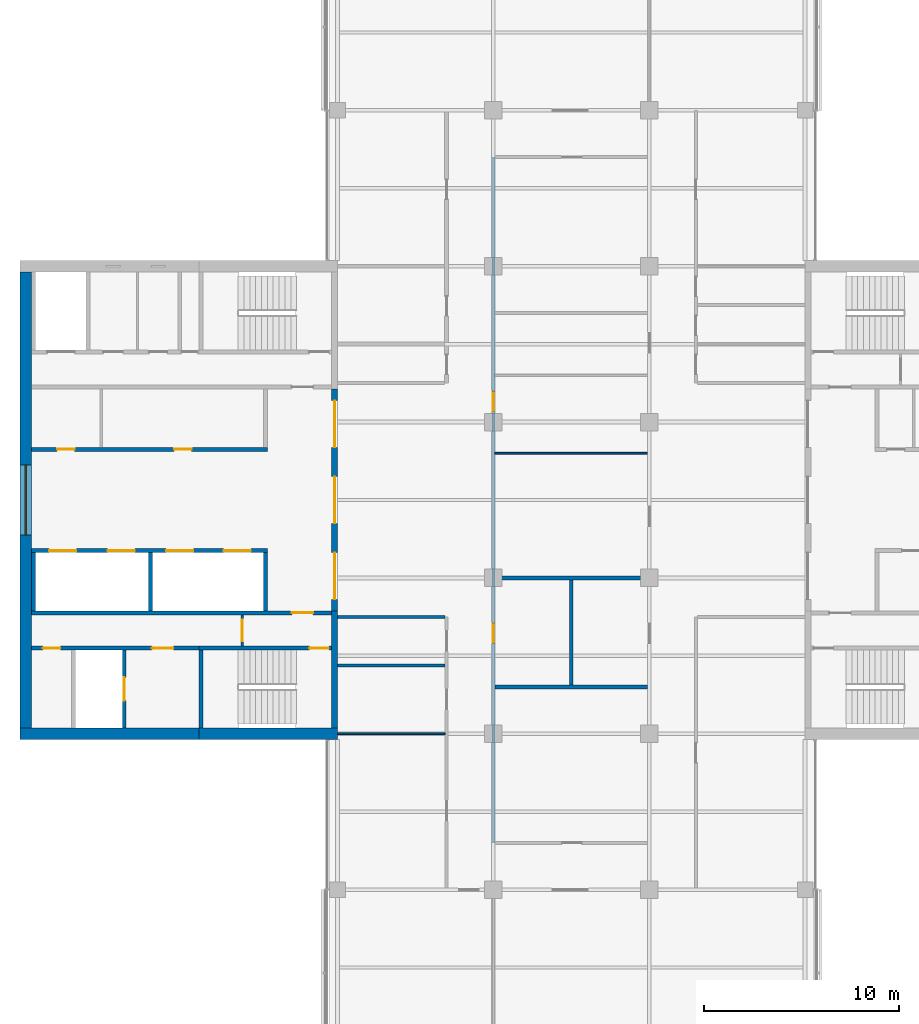
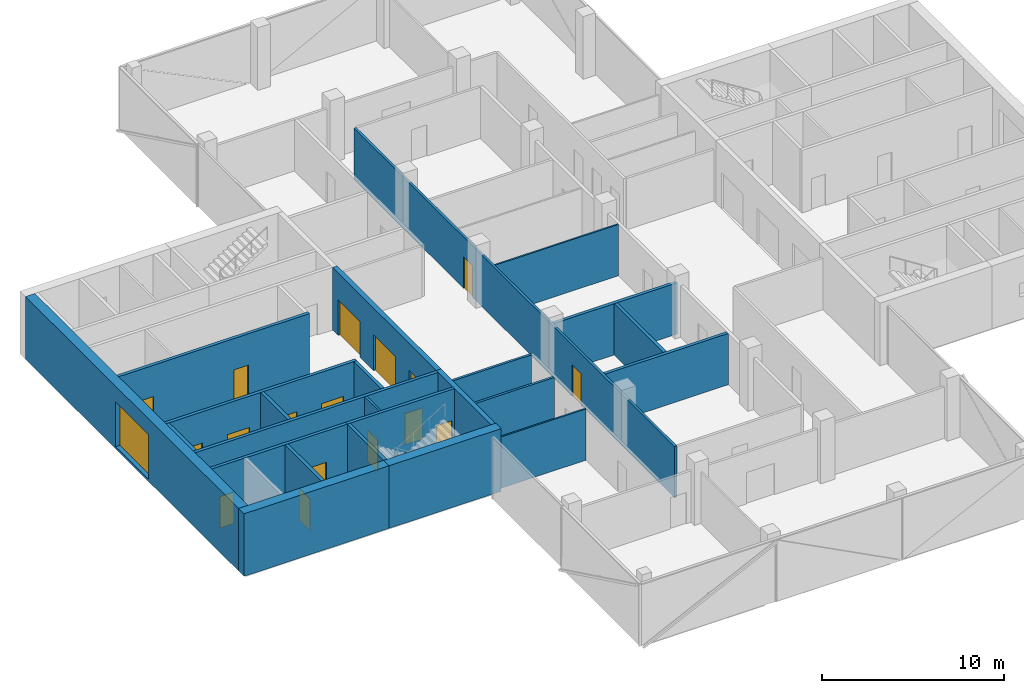
# One storey, part 9 of 15: 24 walls, 17 doors, 1 window, 18 openings.
"""IFC4 building model written with IfcOpenShell, lengths in metres."""

from ifc_helpers import new_model, si_unit, direction, frame, frame_2d, origin, place, context, subcontext, project, spatial, rectangle, extrude, material, layer, layer_set, constituent, constituent_set, type_object, element, fill, save


model = new_model("IFC4")

# Units and contexts
model_context = context("Model", 3, precision=1e-05, world=origin(), true_north=direction((0.0, 1.0)))
body_context = subcontext(model_context, "Body", "Model", "MODEL_VIEW")
ifc_project = project(units=[si_unit("LENGTHUNIT", "METRE"), si_unit("AREAUNIT", "SQUARE_METRE"), si_unit("VOLUMEUNIT", "CUBIC_METRE"), si_unit("PLANEANGLEUNIT", "RADIAN"), si_unit("MASSUNIT", "GRAM", prefix="KILO")], contexts=[model_context])

# Site, building, storey
site_placement = place(None, origin())
site = spatial("IfcSite", under=ifc_project, at=site_placement, CompositionType="ELEMENT")
building_placement = place(site_placement, origin())
building = spatial("IfcBuilding", under=site, at=building_placement, Name="Crosswind Convention Tower", CompositionType="ELEMENT")
storey_placement = place(building_placement, frame((0.0, 0.0, 225.10009765625)))
storey = spatial("IfcBuildingStorey", under=building, at=storey_placement, Name="L48", CompositionType="ELEMENT", Elevation=225.10009765625)

# Walls
ifc_material_1 = material(Name="Concrete blockwork", Category="masonry")
ifc_layer_1 = layer(ifc_material_1, 0.199951171875)
ifc_layer_set_1 = layer_set([ifc_layer_1], Name="COMPARTMENT WALL 200 BLOCKWORK")
wall_type_1 = type_object("IfcWallType", Name="COMPARTMENT WALL 200 BLOCKWORK", PredefinedType="SOLIDWALL", material=ifc_layer_set_1)
wall_1_placement = place(storey_placement, frame((125.0, 90.5, 0.0), z_axis=(0.0, 0.0, 1.0), x_axis=(0.0, 1.0, 0.0)))
element("IfcWall", 1, at=wall_1_placement, inside=storey, type_object=wall_type_1, Name="Compartment wall WT42", PredefinedType="SOLIDWALL", context=body_context, shape_type="SweptSolid", body=[
    extrude(rectangle(XDim=5.39990234375, YDim=0.199951171875, at=frame_2d((2.699951171875, 0.0))), origin(), (0.0, 0.0, 1.0), 3.439697265625),
])
for number, where, z_axis, x_axis, name in (
    (2, (121.074951171875, 90.39990234375, 0.0), (0.0, 0.0, 1.0), (1.0, 0.0, 0.0), "Compartment wall WT42"),
    (3, (121.074951171875, 96.0, 0.0), (0.0, 0.0, 1.0), (1.0, 0.0, 0.0), "Compartment wall WT42"),
):
    element("IfcWall", number, at=place(storey_placement, frame(where, z_axis=z_axis, x_axis=x_axis)), inside=storey, type_object=wall_type_1, Name=name, PredefinedType="SOLIDWALL", context=body_context, shape_type="SweptSolid", body=[
        extrude(rectangle(XDim=7.824951171875, YDim=0.199951171875, at=frame_2d((3.91259765625, 0.0))), origin(), (0.0, 0.0, 1.0), 3.439697265625),
    ])

# Wall, openings, doors
ifc_material_2 = material(Name="Concrete C50/60", Category="concrete")
ifc_layer_2 = layer(ifc_material_2, 0.300048828125)
ifc_layer_set_2 = layer_set([ifc_layer_2], Name="Concrete C50/60")
wall_type_2 = type_object("IfcWallType", Name="Concrete inner core wall 300", PredefinedType="SHEAR", material=ifc_layer_set_2)
wall_2_placement = place(storey_placement, frame((112.85009765625, 105.699951171875, 0.0), z_axis=(0.0, 0.0, 1.0), x_axis=(0.0, -1.0, 0.0)))
wall_2 = element("IfcWall", 4, at=wall_2_placement, inside=storey, type_object=wall_type_2, Name="Wall SCR W L48", PredefinedType="SHEAR", context=body_context, shape_type="SweptSolid", body=[
    extrude(rectangle(XDim=11.39990234375, YDim=0.300048828125, at=frame_2d((5.699951171875, 0.0))), origin(), (0.0, 0.0, 1.0), 4.199951171875),
])
opening_1_placement = place(wall_2_placement, frame((0.60009765625, 0.0, 0.0)))
opening_1 = element("IfcOpeningElement", 5, at=opening_1_placement, cuts=wall_2, Name="Opening D100", PredefinedType="OPENING", context=body_context, shape_type="SweptSolid", body=[
    extrude(rectangle(XDim=2.39990234375, YDim=2.39990234375, at=frame_2d((1.199951171875, 1.199951171875))), frame((0.0, 0.159912109375, 0.0), z_axis=(0.0, -1.0, 0.0), x_axis=(1.0, 0.0, 0.0)), (0.0, 0.0, 1.0), 0.320068359375),
])
opening_2_placement = place(wall_2_placement, frame((4.5, 0.0, 0.0)))
opening_2 = element("IfcOpeningElement", 6, at=opening_2_placement, cuts=wall_2, Name="Opening D100", PredefinedType="OPENING", context=body_context, shape_type="SweptSolid", body=[
    extrude(rectangle(XDim=2.39990234375, YDim=2.39990234375, at=frame_2d((1.199951171875, 1.199951171875))), frame((0.0, 0.159912109375, 0.0), z_axis=(0.0, -1.0, 0.0), x_axis=(1.0, 0.0, 0.0)), (0.0, 0.0, 1.0), 0.320068359375),
])
opening_3_placement = place(wall_2_placement, frame((8.39990234375, 0.0, 0.0)))
opening_3 = element("IfcOpeningElement", 7, at=opening_3_placement, cuts=wall_2, Name="Opening D100", PredefinedType="OPENING", context=body_context, shape_type="SweptSolid", body=[
    extrude(rectangle(XDim=2.39990234375, YDim=2.39990234375, at=frame_2d((1.199951171875, 1.199951171875))), frame((0.0, 0.159912109375, 0.0), z_axis=(0.0, -1.0, 0.0), x_axis=(1.0, 0.0, 0.0)), (0.0, 0.0, 1.0), 0.320068359375),
])
ifc_material_3 = material(Name="Steel fire door with glazed vision panels", Category="steel")
door_type_1 = type_object("IfcDoorType", Name="Fire-rated double door 2400x2400", OperationType="DOUBLE_DOOR_SINGLE_SWING", PredefinedType="DOOR", material=ifc_material_3)
door_1_placement = place(opening_1_placement, origin())
door_1 = element("IfcDoor", 8, at=door_1_placement, inside=storey, type_object=door_type_1, Name="Lobby door 1 L48", ObjectType="D100", OperationType="DOUBLE_DOOR_SINGLE_SWING", OverallHeight=2.39990234375, OverallWidth=2.39990234375, PredefinedType="DOOR", context=body_context, shape_type="SweptSolid", body=[
    extrude(rectangle(XDim=2.39990234375, YDim=2.39990234375, at=frame_2d((1.199951171875, 1.199951171875))), frame((0.0, 0.02490234375, 0.0), z_axis=(0.0, -1.0, 0.0), x_axis=(1.0, 0.0, 0.0)), (0.0, 0.0, 1.0), 0.050048828125),
])
fill(opening_1, door_1)
door_2_placement = place(opening_2_placement, origin())
door_2 = element("IfcDoor", 9, at=door_2_placement, inside=storey, type_object=door_type_1, Name="Lobby door 2 L48", ObjectType="D100", OperationType="DOUBLE_DOOR_SINGLE_SWING", OverallHeight=2.39990234375, OverallWidth=2.39990234375, PredefinedType="DOOR", context=body_context, shape_type="SweptSolid", body=[
    extrude(rectangle(XDim=2.39990234375, YDim=2.39990234375, at=frame_2d((1.199951171875, 1.199951171875))), frame((0.0, 0.02490234375, 0.0), z_axis=(0.0, -1.0, 0.0), x_axis=(1.0, 0.0, 0.0)), (0.0, 0.0, 1.0), 0.050048828125),
])
fill(opening_2, door_2)
door_3_placement = place(opening_3_placement, origin())
door_3 = element("IfcDoor", 10, at=door_3_placement, inside=storey, type_object=door_type_1, Name="Lobby door 3 L48", ObjectType="D100", OperationType="DOUBLE_DOOR_SINGLE_SWING", OverallHeight=2.39990234375, OverallWidth=2.39990234375, PredefinedType="DOOR", context=body_context, shape_type="SweptSolid", body=[
    extrude(rectangle(XDim=2.39990234375, YDim=2.39990234375, at=frame_2d((1.199951171875, 1.199951171875))), frame((0.0, 0.02490234375, 0.0), z_axis=(0.0, -1.0, 0.0), x_axis=(1.0, 0.0, 0.0)), (0.0, 0.0, 1.0), 0.050048828125),
])
fill(opening_3, door_3)

# Walls
wall_3_placement = place(storey_placement, frame((112.85009765625, 94.300048828125, 0.0), z_axis=(0.0, 0.0, 1.0), x_axis=(0.0, -1.0, 0.0)))
element("IfcWall", 11, at=wall_3_placement, inside=storey, type_object=wall_type_2, Name="Wall EP W L48", PredefinedType="SHEAR", context=body_context, shape_type="SweptSolid", body=[
    extrude(rectangle(XDim=6.0, YDim=0.300048828125, at=frame_2d((3.0, 0.0))), origin(), (0.0, 0.0, 1.0), 4.199951171875),
])
ifc_layer_3 = layer(ifc_material_2, 0.199951171875)
ifc_layer_set_3 = layer_set([ifc_layer_3], Name="Concrete C50/60")
wall_type_3 = type_object("IfcWallType", Name="Concrete shaft and stair wall 200", PredefinedType="SHEAR", material=ifc_layer_set_3)
for number, where, z_axis, x_axis, name in (
    (12, (109.300048828125, 97.300048828125, 0.0), (0.0, 0.0, 1.0), (0.0, -1.0, 0.0), "Wall RPEND W L48"),
    (13, (103.39990234375, 97.300048828125, 0.0), (0.0, 0.0, 1.0), (0.0, -1.0, 0.0), "Wall RPSEP W L48"),
    (14, (97.39990234375, 97.300048828125, 0.0), (0.0, 0.0, 1.0), (0.0, -1.0, 0.0), "Wall RPEAST W L48"),
):
    element("IfcWall", number, at=place(storey_placement, frame(where, z_axis=z_axis, x_axis=x_axis)), inside=storey, type_object=wall_type_3, Name=name, PredefinedType="SHEAR", context=body_context, shape_type="SweptSolid", body=[
        extrude(rectangle(XDim=3.0, YDim=0.199951171875, at=frame_2d((1.5, 0.0))), origin(), (0.0, 0.0, 1.0), 4.199951171875),
    ])

# Wall, openings, doors
wall_4_placement = place(storey_placement, frame((109.39990234375, 97.39990234375, 0.0), z_axis=(0.0, 0.0, 1.0), x_axis=(-1.0, 0.0, 0.0)))
wall_4 = element("IfcWall", 15, at=wall_4_placement, inside=storey, type_object=wall_type_3, Name="Wall RPFRONT W L48", PredefinedType="SHEAR", context=body_context, shape_type="SweptSolid", body=[
    extrude(rectangle(XDim=12.099853515625, YDim=0.199951171875, at=frame_2d((6.0498046875, 0.0))), origin(), (0.0, 0.0, 1.0), 4.199951171875),
])
opening_4_placement = place(wall_4_placement, frame((0.85009765625, 0.0, 0.0)))
opening_4 = element("IfcOpeningElement", 16, at=opening_4_placement, cuts=wall_4, Name="Opening LD2", PredefinedType="OPENING", context=body_context, shape_type="SweptSolid", body=[
    extrude(rectangle(XDim=1.39990234375, YDim=2.10009765625, at=frame_2d((0.699951171875, 1.050048828125))), frame((0.0, 0.10986328125, 0.0), z_axis=(0.0, -1.0, 0.0), x_axis=(1.0, 0.0, 0.0)), (0.0, 0.0, 1.0), 0.219970703125),
])
opening_5_placement = place(wall_4_placement, frame((3.800048828125, 0.0, 0.0)))
opening_5 = element("IfcOpeningElement", 17, at=opening_5_placement, cuts=wall_4, Name="Opening LD2", PredefinedType="OPENING", context=body_context, shape_type="SweptSolid", body=[
    extrude(rectangle(XDim=1.39990234375, YDim=2.10009765625, at=frame_2d((0.699951171875, 1.050048828125))), frame((0.0, 0.10986328125, 0.0), z_axis=(0.0, -1.0, 0.0), x_axis=(1.0, 0.0, 0.0)), (0.0, 0.0, 1.0), 0.219970703125),
])
opening_6_placement = place(wall_4_placement, frame((6.800048828125, 0.0, 0.0)))
opening_6 = element("IfcOpeningElement", 18, at=opening_6_placement, cuts=wall_4, Name="Opening LD2", PredefinedType="OPENING", context=body_context, shape_type="SweptSolid", body=[
    extrude(rectangle(XDim=1.39990234375, YDim=2.10009765625, at=frame_2d((0.699951171875, 1.050048828125))), frame((0.0, 0.10986328125, 0.0), z_axis=(0.0, -1.0, 0.0), x_axis=(1.0, 0.0, 0.0)), (0.0, 0.0, 1.0), 0.219970703125),
])
opening_7_placement = place(wall_4_placement, frame((9.800048828125, 0.0, 0.0)))
opening_7 = element("IfcOpeningElement", 19, at=opening_7_placement, cuts=wall_4, Name="Opening LD2", PredefinedType="OPENING", context=body_context, shape_type="SweptSolid", body=[
    extrude(rectangle(XDim=1.39990234375, YDim=2.10009765625, at=frame_2d((0.699951171875, 1.050048828125))), frame((0.0, 0.10986328125, 0.0), z_axis=(0.0, -1.0, 0.0), x_axis=(1.0, 0.0, 0.0)), (0.0, 0.0, 1.0), 0.219970703125),
])
ifc_material_4 = material(Name="Stainless steel", Category="steel")
door_type_2 = type_object("IfcDoorType", Name="Lift landing door 1400x2100", OperationType="DOUBLE_DOOR_SLIDING", PredefinedType="DOOR", material=ifc_material_4)
door_4_placement = place(opening_4_placement, origin())
door_4 = element("IfcDoor", 20, at=door_4_placement, inside=storey, type_object=door_type_2, Name="Landing door HR1 L48", ObjectType="LD2", OperationType="DOUBLE_DOOR_SLIDING", OverallHeight=2.10009765625, OverallWidth=1.39990234375, PredefinedType="DOOR", context=body_context, shape_type="SweptSolid", body=[
    extrude(rectangle(XDim=1.39990234375, YDim=2.10009765625, at=frame_2d((0.699951171875, 1.050048828125))), frame((0.0, 0.02490234375, 0.0), z_axis=(0.0, -1.0, 0.0), x_axis=(1.0, 0.0, 0.0)), (0.0, 0.0, 1.0), 0.050048828125),
])
fill(opening_4, door_4)
door_5_placement = place(opening_5_placement, origin())
door_5 = element("IfcDoor", 21, at=door_5_placement, inside=storey, type_object=door_type_2, Name="Landing door HR2 L48", ObjectType="LD2", OperationType="DOUBLE_DOOR_SLIDING", OverallHeight=2.10009765625, OverallWidth=1.39990234375, PredefinedType="DOOR", context=body_context, shape_type="SweptSolid", body=[
    extrude(rectangle(XDim=1.39990234375, YDim=2.10009765625, at=frame_2d((0.699951171875, 1.050048828125))), frame((0.0, 0.02490234375, 0.0), z_axis=(0.0, -1.0, 0.0), x_axis=(1.0, 0.0, 0.0)), (0.0, 0.0, 1.0), 0.050048828125),
])
fill(opening_5, door_5)
door_6_placement = place(opening_6_placement, origin())
door_6 = element("IfcDoor", 22, at=door_6_placement, inside=storey, type_object=door_type_2, Name="Landing door HR3 L48", ObjectType="LD2", OperationType="DOUBLE_DOOR_SLIDING", OverallHeight=2.10009765625, OverallWidth=1.39990234375, PredefinedType="DOOR", context=body_context, shape_type="SweptSolid", body=[
    extrude(rectangle(XDim=1.39990234375, YDim=2.10009765625, at=frame_2d((0.699951171875, 1.050048828125))), frame((0.0, 0.02490234375, 0.0), z_axis=(0.0, -1.0, 0.0), x_axis=(1.0, 0.0, 0.0)), (0.0, 0.0, 1.0), 0.050048828125),
])
fill(opening_6, door_6)
door_7_placement = place(opening_7_placement, origin())
door_7 = element("IfcDoor", 23, at=door_7_placement, inside=storey, type_object=door_type_2, Name="Landing door HR4 L48", ObjectType="LD2", OperationType="DOUBLE_DOOR_SLIDING", OverallHeight=2.10009765625, OverallWidth=1.39990234375, PredefinedType="DOOR", context=body_context, shape_type="SweptSolid", body=[
    extrude(rectangle(XDim=1.39990234375, YDim=2.10009765625, at=frame_2d((0.699951171875, 1.050048828125))), frame((0.0, 0.02490234375, 0.0), z_axis=(0.0, -1.0, 0.0), x_axis=(1.0, 0.0, 0.0)), (0.0, 0.0, 1.0), 0.050048828125),
])
fill(opening_7, door_7)

wall_5_placement = place(storey_placement, frame((109.39990234375, 102.60009765625, 0.0), z_axis=(0.0, 0.0, 1.0), x_axis=(-1.0, 0.0, 0.0)))
wall_5 = element("IfcWall", 24, at=wall_5_placement, inside=storey, type_object=wall_type_3, Name="Wall RMFRONT W L48", PredefinedType="SHEAR", context=body_context, shape_type="SweptSolid", body=[
    extrude(rectangle(XDim=12.099853515625, YDim=0.199951171875, at=frame_2d((6.0498046875, 0.0))), origin(), (0.0, 0.0, 1.0), 4.199951171875),
])
opening_8_placement = place(wall_5_placement, frame((3.8837890625, 0.0, 0.0)))
opening_8 = element("IfcOpeningElement", 25, at=opening_8_placement, cuts=wall_5, Name="Opening D106", PredefinedType="OPENING", context=body_context, shape_type="SweptSolid", body=[
    extrude(rectangle(XDim=0.89990234375, YDim=2.10009765625, at=frame_2d((0.449951171875, 1.050048828125))), frame((0.0, 0.10986328125, 0.0), z_axis=(0.0, -1.0, 0.0), x_axis=(1.0, 0.0, 0.0)), (0.0, 0.0, 1.0), 0.219970703125),
])
opening_9_placement = place(wall_5_placement, frame((9.896240234375, 0.0, 0.0)))
opening_9 = element("IfcOpeningElement", 26, at=opening_9_placement, cuts=wall_5, Name="Opening D106", PredefinedType="OPENING", context=body_context, shape_type="SweptSolid", body=[
    extrude(rectangle(XDim=0.89990234375, YDim=2.10009765625, at=frame_2d((0.449951171875, 1.050048828125))), frame((0.0, 0.10986328125, 0.0), z_axis=(0.0, -1.0, 0.0), x_axis=(1.0, 0.0, 0.0)), (0.0, 0.0, 1.0), 0.219970703125),
])
ifc_material_5 = material(Name="Timber door", Category="wood")
door_type_3 = type_object("IfcDoorType", Name="Single leaf door 900x2100", OperationType="NOTDEFINED", PredefinedType="DOOR", material=ifc_material_5)
door_8_placement = place(opening_8_placement, frame((0.89990234375, 0.0, 0.0), z_axis=(0.0, 0.0, 1.0), x_axis=(-1.0, 0.0, 0.0)))
door_8 = element("IfcDoor", 27, at=door_8_placement, inside=storey, type_object=door_type_3, Name="Door to pantry L48", ObjectType="D106", OperationType="SINGLE_SWING_LEFT", OverallHeight=2.10009765625, OverallWidth=0.89990234375, PredefinedType="DOOR", context=body_context, shape_type="SweptSolid", body=[
    extrude(rectangle(XDim=0.89990234375, YDim=2.10009765625, at=frame_2d((0.449951171875, 1.050048828125))), frame((0.0, 0.02490234375, 0.0), z_axis=(0.0, -1.0, 0.0), x_axis=(1.0, 0.0, 0.0)), (0.0, 0.0, 1.0), 0.050048828125),
])
fill(opening_8, door_8)
door_9_placement = place(opening_9_placement, frame((0.89990234375, 0.0, 0.0), z_axis=(0.0, 0.0, 1.0), x_axis=(-1.0, 0.0, 0.0)))
door_9 = element("IfcDoor", 28, at=door_9_placement, inside=storey, type_object=door_type_3, Name="Door to telecoms room L48", ObjectType="D106", OperationType="SINGLE_SWING_LEFT", OverallHeight=2.10009765625, OverallWidth=0.89990234375, PredefinedType="DOOR", context=body_context, shape_type="SweptSolid", body=[
    extrude(rectangle(XDim=0.89990234375, YDim=2.10009765625, at=frame_2d((0.449951171875, 1.050048828125))), frame((0.0, 0.02490234375, 0.0), z_axis=(0.0, -1.0, 0.0), x_axis=(1.0, 0.0, 0.0)), (0.0, 0.0, 1.0), 0.050048828125),
])
fill(opening_9, door_9)

# Wall, opening, door
wall_6_placement = place(storey_placement, frame((112.699951171875, 94.199951171875, 0.0), z_axis=(0.0, 0.0, 1.0), x_axis=(-1.0, 0.0, 0.0)))
wall_6 = element("IfcWall", 29, at=wall_6_placement, inside=storey, type_object=wall_type_3, Name="Wall HP W L48", PredefinedType="SHEAR", context=body_context, shape_type="SweptSolid", body=[
    extrude(rectangle(XDim=15.39990234375, YDim=0.199951171875, at=frame_2d((7.699951171875, 0.0))), origin(), (0.0, 0.0, 1.0), 4.199951171875),
])
opening_10_placement = place(wall_6_placement, frame((0.949951171875, 0.0, 0.0)))
opening_10 = element("IfcOpeningElement", 30, at=opening_10_placement, cuts=wall_6, Name="Opening D104", PredefinedType="OPENING", context=body_context, shape_type="SweptSolid", body=[
    extrude(rectangle(XDim=1.10009765625, YDim=2.10009765625, at=frame_2d((0.550048828125, 1.050048828125))), frame((0.0, 0.10986328125, 0.0), z_axis=(0.0, -1.0, 0.0), x_axis=(1.0, 0.0, 0.0)), (0.0, 0.0, 1.0), 0.219970703125),
])
ifc_material_6 = material(Name="Steel fire door", Category="steel")
door_type_4 = type_object("IfcDoorType", Name="Fire-rated single door 1100x2100", OperationType="NOTDEFINED", PredefinedType="DOOR", material=ifc_material_6)
door_10_placement = place(opening_10_placement, origin())
door_10 = element("IfcDoor", 31, at=door_10_placement, inside=storey, type_object=door_type_4, Name="Corridor door L48", ObjectType="D104", OperationType="SINGLE_SWING_LEFT", OverallHeight=2.10009765625, OverallWidth=1.10009765625, PredefinedType="DOOR", context=body_context, shape_type="SweptSolid", body=[
    extrude(rectangle(XDim=1.10009765625, YDim=2.10009765625, at=frame_2d((0.550048828125, 1.050048828125))), frame((0.0, 0.02490234375, 0.0), z_axis=(0.0, -1.0, 0.0), x_axis=(1.0, 0.0, 0.0)), (0.0, 0.0, 1.0), 0.050048828125),
])
fill(opening_10, door_10)

# Wall
wall_7_placement = place(storey_placement, frame((106.0, 92.300048828125, 0.0), z_axis=(0.0, 0.0, 1.0), x_axis=(0.0, -1.0, 0.0)))
element("IfcWall", 32, at=wall_7_placement, inside=storey, type_object=wall_type_3, Name="Wall PSE W L48", PredefinedType="SHEAR", context=body_context, shape_type="SweptSolid", body=[
    extrude(rectangle(XDim=4.0, YDim=0.199951171875, at=frame_2d((2.0, 0.0))), origin(), (0.0, 0.0, 1.0), 4.199951171875),
])

# Wall, opening, door
wall_8_placement = place(storey_placement, frame((102.050048828125, 92.300048828125, 0.0), z_axis=(0.0, 0.0, 1.0), x_axis=(0.0, -1.0, 0.0)))
wall_8 = element("IfcWall", 33, at=wall_8_placement, inside=storey, type_object=wall_type_3, Name="Wall PFLW W L48", PredefinedType="SHEAR", context=body_context, shape_type="SweptSolid", body=[
    extrude(rectangle(XDim=4.0, YDim=0.199951171875, at=frame_2d((2.0, 0.0))), origin(), (0.0, 0.0, 1.0), 4.199951171875),
])
opening_11_placement = place(wall_8_placement, frame((1.39990234375, 0.0, 0.0)))
opening_11 = element("IfcOpeningElement", 34, at=opening_11_placement, cuts=wall_8, Name="Opening LD1", PredefinedType="OPENING", context=body_context, shape_type="SweptSolid", body=[
    extrude(rectangle(XDim=1.199951171875, YDim=2.10009765625, at=frame_2d((0.60009765625, 1.050048828125))), frame((0.0, 0.10986328125, 0.0), z_axis=(0.0, -1.0, 0.0), x_axis=(1.0, 0.0, 0.0)), (0.0, 0.0, 1.0), 0.219970703125),
])
door_type_5 = type_object("IfcDoorType", Name="Lift landing door 1200x2100", OperationType="DOUBLE_DOOR_SLIDING", PredefinedType="DOOR", material=ifc_material_4)
door_11_placement = place(opening_11_placement, origin())
door_11 = element("IfcDoor", 35, at=door_11_placement, inside=storey, type_object=door_type_5, Name="Landing door FF2 L48", ObjectType="LD1", OperationType="DOUBLE_DOOR_SLIDING", OverallHeight=2.10009765625, OverallWidth=1.199951171875, PredefinedType="DOOR", context=body_context, shape_type="SweptSolid", body=[
    extrude(rectangle(XDim=1.199951171875, YDim=2.10009765625, at=frame_2d((0.60009765625, 1.050048828125))), frame((0.0, 0.02490234375, 0.0), z_axis=(0.0, -1.0, 0.0), x_axis=(1.0, 0.0, 0.0)), (0.0, 0.0, 1.0), 0.050048828125),
])
fill(opening_11, door_11)

wall_9_placement = place(storey_placement, frame((112.699951171875, 92.39990234375, 0.0), z_axis=(0.0, 0.0, 1.0), x_axis=(-1.0, 0.0, 0.0)))
wall_9 = element("IfcWall", 36, at=wall_9_placement, inside=storey, type_object=wall_type_3, Name="Wall PCW W L48", PredefinedType="SHEAR", context=body_context, shape_type="SweptSolid", body=[
    extrude(rectangle(XDim=6.800048828125, YDim=0.199951171875, at=frame_2d((3.39990234375, 0.0))), origin(), (0.0, 0.0, 1.0), 4.199951171875),
])
opening_12_placement = place(wall_9_placement, frame((0.14990234375, 0.0, 0.0)))
opening_12 = element("IfcOpeningElement", 37, at=opening_12_placement, cuts=wall_9, Name="Opening D103", PredefinedType="OPENING", context=body_context, shape_type="SweptSolid", body=[
    extrude(rectangle(XDim=1.0, YDim=2.10009765625, at=frame_2d((0.5, 1.050048828125))), frame((0.0, 0.10986328125, 0.0), z_axis=(0.0, -1.0, 0.0), x_axis=(1.0, 0.0, 0.0)), (0.0, 0.0, 1.0), 0.219970703125),
])
door_type_6 = type_object("IfcDoorType", Name="Fire-rated single door 1000x2100", OperationType="NOTDEFINED", PredefinedType="DOOR", material=ifc_material_6)
door_12_placement = place(opening_12_placement, origin())
door_12 = element("IfcDoor", 38, at=door_12_placement, inside=storey, type_object=door_type_6, Name="Stair ST3 door L48", ObjectType="D103", OperationType="SINGLE_SWING_LEFT", OverallHeight=2.10009765625, OverallWidth=1.0, PredefinedType="DOOR", context=body_context, shape_type="SweptSolid", body=[
    extrude(rectangle(XDim=1.0, YDim=2.10009765625, at=frame_2d((0.5, 1.050048828125))), frame((0.0, 0.02490234375, 0.0), z_axis=(0.0, -1.0, 0.0), x_axis=(1.0, 0.0, 0.0)), (0.0, 0.0, 1.0), 0.050048828125),
])
fill(opening_12, door_12)

# Wall, openings, doors
wall_10_placement = place(storey_placement, frame((105.89990234375, 92.39990234375, 0.0), z_axis=(0.0, 0.0, 1.0), x_axis=(-1.0, 0.0, 0.0)))
wall_10 = element("IfcWall", 39, at=wall_10_placement, inside=storey, type_object=wall_type_3, Name="Wall PCX W L48", PredefinedType="SHEAR", context=body_context, shape_type="SweptSolid", body=[
    extrude(rectangle(XDim=8.599853515625, YDim=0.199951171875, at=frame_2d((4.2998046875, 0.0))), origin(), (0.0, 0.0, 1.0), 4.199951171875),
])
opening_13_placement = place(wall_10_placement, frame((1.324951171875, 0.0, 0.0)))
opening_13 = element("IfcOpeningElement", 40, at=opening_13_placement, cuts=wall_10, Name="Opening D104", PredefinedType="OPENING", context=body_context, shape_type="SweptSolid", body=[
    extrude(rectangle(XDim=1.10009765625, YDim=2.10009765625, at=frame_2d((0.550048828125, 1.050048828125))), frame((0.0, 0.10986328125, 0.0), z_axis=(0.0, -1.0, 0.0), x_axis=(1.0, 0.0, 0.0)), (0.0, 0.0, 1.0), 0.219970703125),
])
opening_14_placement = place(wall_10_placement, frame((7.125, 0.0, 0.0)))
opening_14 = element("IfcOpeningElement", 41, at=opening_14_placement, cuts=wall_10, Name="Opening D106", PredefinedType="OPENING", context=body_context, shape_type="SweptSolid", body=[
    extrude(rectangle(XDim=0.89990234375, YDim=2.10009765625, at=frame_2d((0.449951171875, 1.050048828125))), frame((0.0, 0.10986328125, 0.0), z_axis=(0.0, -1.0, 0.0), x_axis=(1.0, 0.0, 0.0)), (0.0, 0.0, 1.0), 0.219970703125),
])
door_13_placement = place(opening_13_placement, origin())
door_13 = element("IfcDoor", 42, at=door_13_placement, inside=storey, type_object=door_type_4, Name="Fire-fighting lobby FF2 door L48", ObjectType="D104", OperationType="SINGLE_SWING_RIGHT", OverallHeight=2.10009765625, OverallWidth=1.10009765625, PredefinedType="DOOR", context=body_context, shape_type="SweptSolid", body=[
    extrude(rectangle(XDim=1.10009765625, YDim=2.10009765625, at=frame_2d((0.550048828125, 1.050048828125))), frame((0.0, 0.02490234375, 0.0), z_axis=(0.0, -1.0, 0.0), x_axis=(1.0, 0.0, 0.0)), (0.0, 0.0, 1.0), 0.050048828125),
])
fill(opening_13, door_13)
door_14_placement = place(opening_14_placement, origin())
door_14 = element("IfcDoor", 43, at=door_14_placement, inside=storey, type_object=door_type_3, Name="Door to cleaners' store L48", ObjectType="D106", OperationType="SINGLE_SWING_RIGHT", OverallHeight=2.10009765625, OverallWidth=0.89990234375, PredefinedType="DOOR", context=body_context, shape_type="SweptSolid", body=[
    extrude(rectangle(XDim=0.89990234375, YDim=2.10009765625, at=frame_2d((0.449951171875, 1.050048828125))), frame((0.0, 0.02490234375, 0.0), z_axis=(0.0, -1.0, 0.0), x_axis=(1.0, 0.0, 0.0)), (0.0, 0.0, 1.0), 0.050048828125),
])
fill(opening_14, door_14)

# Wall, opening, door
ifc_material_7 = material(Name="Gypsum plasterboard partition", Category="gypsum")
ifc_layer_4 = layer(ifc_material_7, 0.125)
ifc_layer_set_4 = layer_set([ifc_layer_4], Name="Drywall partition wall 125")
wall_type_4 = type_object("IfcWallType", Name="Drywall partition wall 125", PredefinedType="PARTITIONING", material=ifc_layer_set_4)
wall_11_placement = place(storey_placement, frame((108.10009765625, 94.10009765625, 0.0), z_axis=(0.0, 0.0, 1.0), x_axis=(0.0, -1.0, 0.0)))
wall_11 = element("IfcWall", 44, at=wall_11_placement, inside=storey, type_object=wall_type_4, Name="Wall PXC1 W L48", PredefinedType="PARTITIONING", context=body_context, shape_type="SweptSolid", body=[
    extrude(rectangle(XDim=1.60009765625, YDim=0.125, at=frame_2d((0.800048828125, 0.0))), origin(), (0.0, 0.0, 1.0), 4.199951171875),
])
opening_15_placement = place(wall_11_placement, frame((0.25, 0.0, 0.0)))
opening_15 = element("IfcOpeningElement", 45, at=opening_15_placement, cuts=wall_11, Name="Opening D104", PredefinedType="OPENING", context=body_context, shape_type="SweptSolid", body=[
    extrude(rectangle(XDim=1.10009765625, YDim=2.10009765625, at=frame_2d((0.550048828125, 1.050048828125))), frame((0.0, 0.072509765625, 0.0), z_axis=(0.0, -1.0, 0.0), x_axis=(1.0, 0.0, 0.0)), (0.0, 0.0, 1.0), 0.14501953125),
])
door_15_placement = place(opening_15_placement, origin())
door_15 = element("IfcDoor", 46, at=door_15_placement, inside=storey, type_object=door_type_4, Name="Corridor smoke door L48", ObjectType="D104", OperationType="SINGLE_SWING_RIGHT", OverallHeight=2.10009765625, OverallWidth=1.10009765625, PredefinedType="DOOR", context=body_context, shape_type="SweptSolid", body=[
    extrude(rectangle(XDim=1.10009765625, YDim=2.10009765625, at=frame_2d((0.550048828125, 1.050048828125))), frame((0.0, 0.02490234375, 0.0), z_axis=(0.0, -1.0, 0.0), x_axis=(1.0, 0.0, 0.0)), (0.0, 0.0, 1.0), 0.050048828125),
])
fill(opening_15, door_15)

# Walls
ifc_material_8 = material(Name="Plasterboard partition", Category="gypsum")
ifc_layer_5 = layer(ifc_material_8, 0.10009765625)
ifc_layer_set_5 = layer_set([ifc_layer_5], Name="PARTITION 100 METAL STUD")
wall_type_5 = type_object("IfcWallType", Name="PARTITION 100 METAL STUD", PredefinedType="PARTITIONING", material=ifc_layer_set_5)
wall_12_placement = place(storey_placement, frame((113.0, 88.0, 0.0), z_axis=(0.0, 0.0, 1.0), x_axis=(1.0, 0.0, 0.0)))
element("IfcWall", 47, at=wall_12_placement, inside=storey, type_object=wall_type_5, Name="Partition wall WT40", PredefinedType="PARTITIONING", context=body_context, shape_type="SweptSolid", body=[
    extrude(rectangle(XDim=5.52490234375, YDim=0.10009765625, at=frame_2d((2.762451171875, 0.0))), origin(), (0.0, 0.0, 1.0), 3.439697265625),
])
wall_13_placement = place(storey_placement, frame((121.074951171875, 102.39990234375, 0.0), z_axis=(0.0, 0.0, 1.0), x_axis=(1.0, 0.0, 0.0)))
element("IfcWall", 48, at=wall_13_placement, inside=storey, type_object=wall_type_5, Name="Partition wall WT40", PredefinedType="PARTITIONING", context=body_context, shape_type="SweptSolid", body=[
    extrude(rectangle(XDim=7.824951171875, YDim=0.10009765625, at=frame_2d((3.91259765625, 0.0))), origin(), (0.0, 0.0, 1.0), 3.439697265625),
])

# Wall, openings, doors
ifc_material_9 = material(Name="Fire-board partition with mineral wool", Category="gypsum")
ifc_layer_6 = layer(ifc_material_9, 0.14990234375)
ifc_layer_set_6 = layer_set([ifc_layer_6], Name="TENANCY WALL 150 TWO-HOUR BOARD")
wall_type_6 = type_object("IfcWallType", Name="TENANCY WALL 150 TWO-HOUR BOARD", PredefinedType="PARTITIONING", material=ifc_layer_set_6)
wall_14_placement = place(storey_placement, frame((121.0, 82.39990234375, 0.0), z_axis=(0.0, 0.0, 1.0), x_axis=(0.0, 1.0, 0.0)))
wall_14 = element("IfcWall", 49, at=wall_14_placement, inside=storey, type_object=wall_type_6, Name="Tenancy wall WT41", PredefinedType="PARTITIONING", context=body_context, shape_type="SweptSolid", body=[
    extrude(rectangle(XDim=35.2001953125, YDim=0.14990234375, at=frame_2d((17.60009765625, 0.0))), origin(), (0.0, 0.0, 1.0), 3.439697265625),
])
opening_16_placement = place(wall_14_placement, frame((10.25, 0.0, 0.0)))
opening_16 = element("IfcOpeningElement", 50, at=opening_16_placement, cuts=wall_14, Name="Opening L48-65", PredefinedType="OPENING", context=body_context, shape_type="SweptSolid", body=[
    extrude(rectangle(XDim=1.0, YDim=2.10009765625, at=frame_2d((0.5, 1.050048828125))), frame((0.0, 0.0849609375, 0.0), z_axis=(0.0, -1.0, 0.0), x_axis=(1.0, 0.0, 0.0)), (0.0, 0.0, 1.0), 0.169921875),
])
opening_17_placement = place(wall_14_placement, frame((22.14990234375, 0.0, 0.0)))
opening_17 = element("IfcOpeningElement", 51, at=opening_17_placement, cuts=wall_14, Name="Opening L48-68", PredefinedType="OPENING", context=body_context, shape_type="SweptSolid", body=[
    extrude(rectangle(XDim=1.0, YDim=2.10009765625, at=frame_2d((0.5, 1.050048828125))), frame((0.0, 0.0849609375, 0.0), z_axis=(0.0, -1.0, 0.0), x_axis=(1.0, 0.0, 0.0)), (0.0, 0.0, 1.0), 0.169921875),
])
ifc_material_10 = material(Name="Timber fire door", Category="wood")
door_type_7 = type_object("IfcDoorType", Name="TENANCY ENTRANCE DOOR 1000X2100 FD30S", OperationType="NOTDEFINED", PredefinedType="DOOR", material=ifc_material_10)
door_16_placement = place(opening_16_placement, frame((1.0, 0.0, 0.0), z_axis=(0.0, 0.0, 1.0), x_axis=(-1.0, 0.0, 0.0)))
door_16 = element("IfcDoor", 52, at=door_16_placement, inside=storey, type_object=door_type_7, Name="Door L48-65", ObjectType="D41", OperationType="SINGLE_SWING_LEFT", OverallHeight=2.10009765625, OverallWidth=1.0, PredefinedType="DOOR", context=body_context, shape_type="SweptSolid", body=[
    extrude(rectangle(XDim=1.0, YDim=2.10009765625, at=frame_2d((0.5, 1.050048828125))), frame((0.0, 0.02490234375, 0.0), z_axis=(0.0, -1.0, 0.0), x_axis=(1.0, 0.0, 0.0)), (0.0, 0.0, 1.0), 0.050048828125),
])
fill(opening_16, door_16)
door_17_placement = place(opening_17_placement, frame((1.0, 0.0, 0.0), z_axis=(0.0, 0.0, 1.0), x_axis=(-1.0, 0.0, 0.0)))
door_17 = element("IfcDoor", 53, at=door_17_placement, inside=storey, type_object=door_type_7, Name="Door L48-68", ObjectType="D41", OperationType="SINGLE_SWING_RIGHT", OverallHeight=2.10009765625, OverallWidth=1.0, PredefinedType="DOOR", context=body_context, shape_type="SweptSolid", body=[
    extrude(rectangle(XDim=1.0, YDim=2.10009765625, at=frame_2d((0.5, 1.050048828125))), frame((0.0, 0.02490234375, 0.0), z_axis=(0.0, -1.0, 0.0), x_axis=(1.0, 0.0, 0.0)), (0.0, 0.0, 1.0), 0.050048828125),
])
fill(opening_17, door_17)

# Walls
for number, where, z_axis, x_axis, name in (
    (54, (113.0, 91.5, 0.0), (0.0, 0.0, 1.0), (1.0, 0.0, 0.0), "Tenancy wall WT41"),
    (55, (113.0, 94.0, 0.0), (0.0, 0.0, 1.0), (1.0, 0.0, 0.0), "Tenancy wall WT41"),
):
    element("IfcWall", number, at=place(storey_placement, frame(where, z_axis=z_axis, x_axis=x_axis)), inside=storey, type_object=wall_type_6, Name=name, PredefinedType="PARTITIONING", context=body_context, shape_type="SweptSolid", body=[
        extrude(rectangle(XDim=5.52490234375, YDim=0.14990234375, at=frame_2d((2.762451171875, 0.0))), origin(), (0.0, 0.0, 1.0), 3.439697265625),
    ])
ifc_material_11 = material(Name="Concrete C60/75", Category="concrete")
ifc_constituent_1 = constituent(ifc_material_11, Name="Structure")
ifc_material_12 = material(Name="Terracotta rainscreen", Category="ceramic")
ifc_constituent_2 = constituent(ifc_material_12, Name="Facing")
ifc_constituent_set = constituent_set(constituents=[ifc_constituent_1, ifc_constituent_2], Name="Concrete C60/75, Terracotta rainscreen")
wall_type_7 = type_object("IfcWallType", Name="Terracotta rainscreen on concrete core wall 600", PredefinedType="SHEAR", material=ifc_constituent_set)
wall_15_placement = place(storey_placement, frame((113.0, 88.0, 0.0), z_axis=(0.0, 0.0, 1.0), x_axis=(-1.0, 0.0, 0.0)))
element("IfcWall", 56, at=wall_15_placement, inside=storey, type_object=wall_type_7, Name="Wall N1 W L48", PredefinedType="SHEAR", context=body_context, shape_type="SweptSolid", body=[
    extrude(rectangle(XDim=7.10009765625, YDim=0.60009765625, at=frame_2d((3.550048828125, 0.0))), origin(), (0.0, 0.0, 1.0), 4.199951171875),
])
wall_16_placement = place(storey_placement, frame((105.89990234375, 88.0, 0.0), z_axis=(0.0, 0.0, 1.0), x_axis=(-1.0, 0.0, 0.0)))
element("IfcWall", 57, at=wall_16_placement, inside=storey, type_object=wall_type_7, Name="Wall N2 W L48", PredefinedType="SHEAR", context=body_context, shape_type="SweptSolid", body=[
    extrude(rectangle(XDim=9.199951171875, YDim=0.60009765625, at=frame_2d((4.60009765625, 0.0))), origin(), (0.0, 0.0, 1.0), 4.199951171875),
])

# Wall, opening, window
wall_17_placement = place(storey_placement, frame((97.0, 111.699951171875, 0.0), z_axis=(0.0, 0.0, 1.0), x_axis=(0.0, -1.0, 0.0)))
wall_17 = element("IfcWall", 58, at=wall_17_placement, inside=storey, type_object=wall_type_7, Name="Wall O W L48", PredefinedType="SHEAR", context=body_context, shape_type="SweptSolid", body=[
    extrude(rectangle(XDim=23.39990234375, YDim=0.60009765625, at=frame_2d((11.699951171875, 0.0))), origin(), (0.0, 0.0, 1.0), 4.199951171875),
])
opening_18_placement = place(wall_17_placement, frame((9.89990234375, 0.0, 0.14990234375)))
opening_18 = element("IfcOpeningElement", 59, at=opening_18_placement, cuts=wall_17, Name="Opening W1", PredefinedType="OPENING", context=body_context, shape_type="SweptSolid", body=[
    extrude(rectangle(XDim=3.60009765625, YDim=3.0, at=frame_2d((1.800048828125, 1.5))), frame((0.0, 0.31005859375, 0.0), z_axis=(0.0, -1.0, 0.0), x_axis=(1.0, 0.0, 0.0)), (0.0, 0.0, 1.0), 0.6201171875),
])
ifc_material_13 = material(Name="Clear laminated glass in aluminium frame", Category="aluminium")
window_type = type_object("IfcWindowType", Name="Lobby end window 3600x3000", PartitioningType="SINGLE_PANEL", PredefinedType="WINDOW", material=ifc_material_13)
window_placement = place(opening_18_placement, origin())
window = element("IfcWindow", 60, at=window_placement, inside=storey, type_object=window_type, Name="Lobby end window L48", ObjectType="W1", OverallHeight=3.0, OverallWidth=3.60009765625, PartitioningType="SINGLE_PANEL", PredefinedType="WINDOW", context=body_context, shape_type="SweptSolid", body=[
    extrude(rectangle(XDim=3.60009765625, YDim=3.0, at=frame_2d((1.800048828125, 1.5))), frame((0.0, 0.030029296875, 0.0), z_axis=(0.0, -1.0, 0.0), x_axis=(1.0, 0.0, 0.0)), (0.0, 0.0, 1.0), 0.06005859375),
])
fill(opening_18, window)

save(model, "model.ifc")
